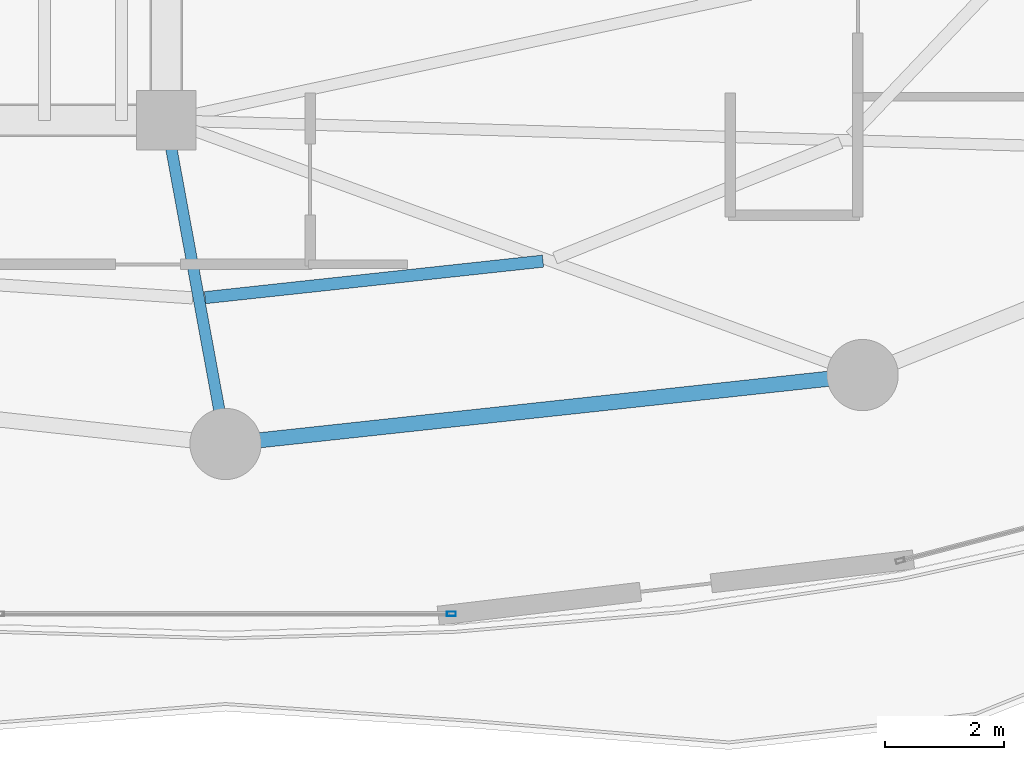
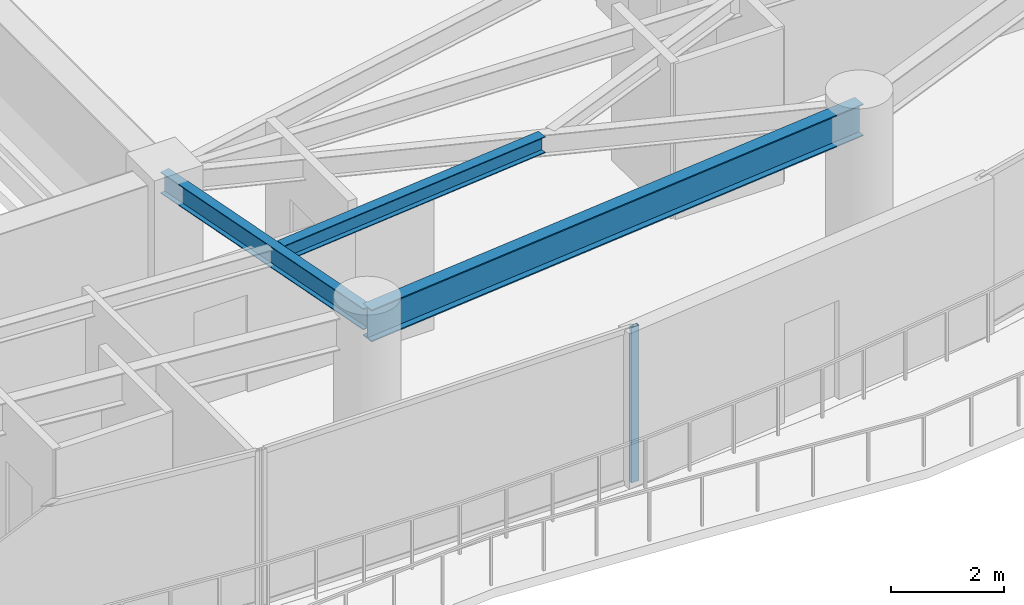
# One storey, part 10 of 33: 3 beams, 1 member, 1 element without a shape of its own.
"""IFC4 building model written with IfcOpenShell, lengths in metres."""

from ifc_helpers import new_model, si_unit, direction, frame, origin, origin_2d, place, context, subcontext, project, spatial, hollow_rectangle, i_section, extrude, material, layer, layer_set, material_profile, profile_set, type_object, element, aggregate, save


model = new_model("IFC4")

# Units and contexts
model_context = context("Model", 3, precision=1e-05, world=origin(), true_north=direction((0.0, 1.0)))
body_context = subcontext(model_context, "Body", "Model", "MODEL_VIEW")
ifc_project = project(units=[si_unit("LENGTHUNIT", "METRE"), si_unit("AREAUNIT", "SQUARE_METRE"), si_unit("VOLUMEUNIT", "CUBIC_METRE"), si_unit("PLANEANGLEUNIT", "RADIAN"), si_unit("MASSUNIT", "GRAM", prefix="KILO")], contexts=[model_context])

# Site, building, storey
site_placement = place(None, origin())
site = spatial("IfcSite", under=ifc_project, at=site_placement, CompositionType="ELEMENT")
building_placement = place(site_placement, origin())
building = spatial("IfcBuilding", under=site, at=building_placement, Name="Kazevale Care Tower and Concert Hall", CompositionType="ELEMENT")
storey_placement = place(building_placement, frame((0.0, 0.0, 149.39990234375)))
storey = spatial("IfcBuildingStorey", under=building, at=storey_placement, Name="L39", CompositionType="ELEMENT", Elevation=149.39990234375)

# Curtain wall, member
ifc_material_1 = material(Name="Aluminium 6063-T6 and Low-E Glass", Category="aluminium")
ifc_layer = layer(ifc_material_1, 0.179931640625)
ifc_layer_set = layer_set([ifc_layer], Name="Aluminium 6063-T6 and Low-E Glass")
curtain_wall_type = type_object("IfcCurtainWallType", Name="Sheltered Concave Balcony Curtain Wall CW-5", PredefinedType="NOTDEFINED", material=ifc_layer_set)
curtain_wall_placement = place(storey_placement, origin())
curtain_wall = element("IfcCurtainWall", 1, at=curtain_wall_placement, inside=storey, type_object=curtain_wall_type, Name="cw:L39:f06", PredefinedType="NOTDEFINED")
ifc_material_2 = material(Name="Aluminium 6063-T6", Category="aluminium")
ifc_material_profile_1 = material_profile(ifc_material_2, hollow_rectangle(XDim=0.074951171875, YDim=0.14990234375, WallThickness=0.00390625, at=origin_2d()), Name="ALU75x150x4")
ifc_profile_set_1 = profile_set([ifc_material_profile_1], Name="Aluminium 6063-T6")
member_type = type_object("IfcMemberType", Name="CW-5 Mullion ALU75x150x4", PredefinedType="MULLION", material=ifc_profile_set_1)
member_placement = place(storey_placement, frame((48.803466796875, 15.2890625, 0.0), z_axis=(0.0, 0.0, 1.0), x_axis=(0.0, -1.0, 0.0)))
member = element("IfcMember", 2, at=member_placement, type_object=member_type, Name="CW-5 mullion 1", PredefinedType="MULLION", context=body_context, shape_type="SweptSolid", body=[
    extrude(hollow_rectangle(XDim=0.074951171875, YDim=0.14990234375, WallThickness=0.00390625, at=origin_2d()), origin(), (0.0, 0.0, 1.0), 3.360107421875),
])
aggregate(curtain_wall, [member])

# Beams
ifc_material_3 = material(Name="Steel ASTM A572 Gr 50", Category="steel")
ifc_material_profile_2 = material_profile(ifc_material_3, i_section(OverallWidth=0.19091796875, OverallDepth=0.4599609375, WebThickness=0.010009765625, FlangeThickness=0.01611328125, at=origin_2d()), Name="W460x82")
ifc_profile_set_2 = profile_set([ifc_material_profile_2], Name="Steel ASTM A572 Gr 50")
beam_type_1 = type_object("IfcBeamType", Name="Radial Floor Beam W460x82", PredefinedType="BEAM", material=ifc_profile_set_2)
beam_1_placement = place(storey_placement, frame((44.0, 23.60009765625, 3.130126953125), z_axis=(0.180467114023, -0.983581018908, 0.0), x_axis=(0.983581018908, 0.180467114023, 0.0)))
element("IfcBeam", 3, at=beam_1_placement, inside=storey, type_object=beam_type_1, Name="beam:L39:rad:13", PredefinedType="BEAM", context=body_context, shape_type="SweptSolid", body=[
    extrude(i_section(OverallWidth=0.19091796875, OverallDepth=0.4599609375, WebThickness=0.010009765625, FlangeThickness=0.01611328125, at=origin_2d()), origin(), (0.0, 0.0, 1.0), 5.541259765625),
])
ifc_material_profile_3 = material_profile(ifc_material_3, i_section(OverallWidth=0.205078125, OverallDepth=0.35400390625, WebThickness=0.009521484375, FlangeThickness=0.016845703125, at=origin_2d()), Name="W360x79")
ifc_profile_set_3 = profile_set([ifc_material_profile_3], Name="Steel ASTM A572 Gr 50")
beam_type_2 = type_object("IfcBeamType", Name="Secondary Floor Joist W360x79", PredefinedType="JOIST", material=ifc_profile_set_3)
beam_2_placement = place(storey_placement, frame((44.654052734375, 20.614013671875, 3.18310546875), z_axis=(0.994215541126, 0.107403248482, 0.0), x_axis=(-0.107403248482, 0.994215541126, 0.0)))
element("IfcBeam", 4, at=beam_2_placement, inside=storey, type_object=beam_type_2, Name="beam:L39:joist:13", PredefinedType="JOIST", context=body_context, shape_type="SweptSolid", body=[
    extrude(i_section(OverallWidth=0.205078125, OverallDepth=0.35400390625, WebThickness=0.009521484375, FlangeThickness=0.016845703125, at=origin_2d()), origin(), (0.0, 0.0, 1.0), 5.72607421875),
])
ifc_material_profile_4 = material_profile(ifc_material_3, i_section(OverallWidth=0.256103515625, OverallDepth=0.693115234375, WebThickness=0.014404296875, FlangeThickness=0.023681640625, at=origin_2d()), Name="W690x170")
ifc_profile_set_4 = profile_set([ifc_material_profile_4], Name="Steel ASTM A572 Gr 50")
beam_type_3 = type_object("IfcBeamType", Name="Waist Ring Beam W690x170", PredefinedType="BEAM", material=ifc_profile_set_4)
beam_3_placement = place(storey_placement, frame((45.0, 18.14990234375, 3.013671875), z_axis=(0.994205479487, 0.107496346724, 0.0), x_axis=(-0.107496346724, 0.994205479487, 0.0)))
element("IfcBeam", 5, at=beam_3_placement, inside=storey, type_object=beam_type_3, Name="beam:L39:ring:13", PredefinedType="BEAM", context=body_context, shape_type="SweptSolid", body=[
    extrude(i_section(OverallWidth=0.256103515625, OverallDepth=0.693115234375, WebThickness=0.014404296875, FlangeThickness=0.023681640625, at=origin_2d()), origin(), (0.0, 0.0, 1.0), 10.79248046875),
])

save(model, "model.ifc")
